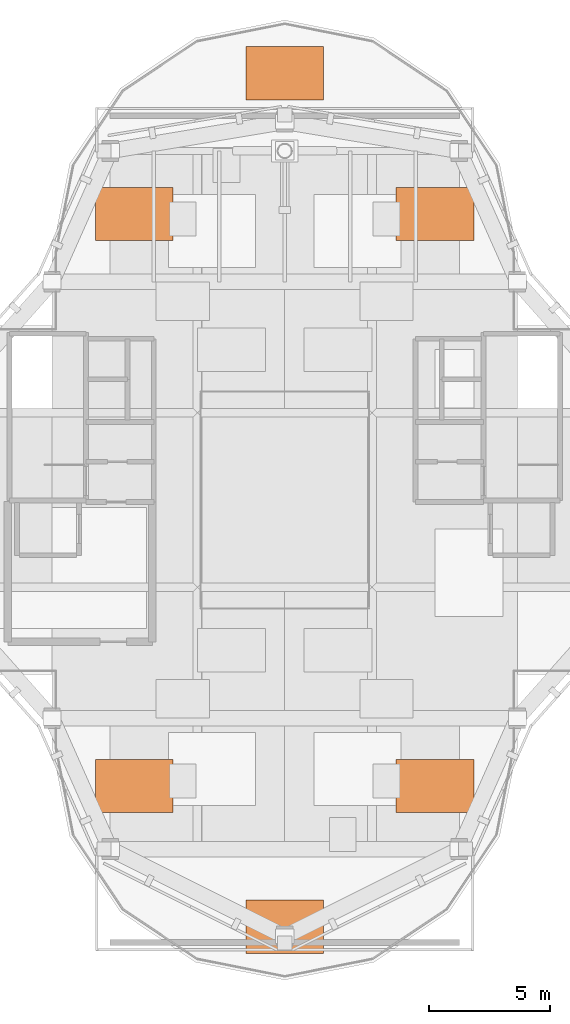
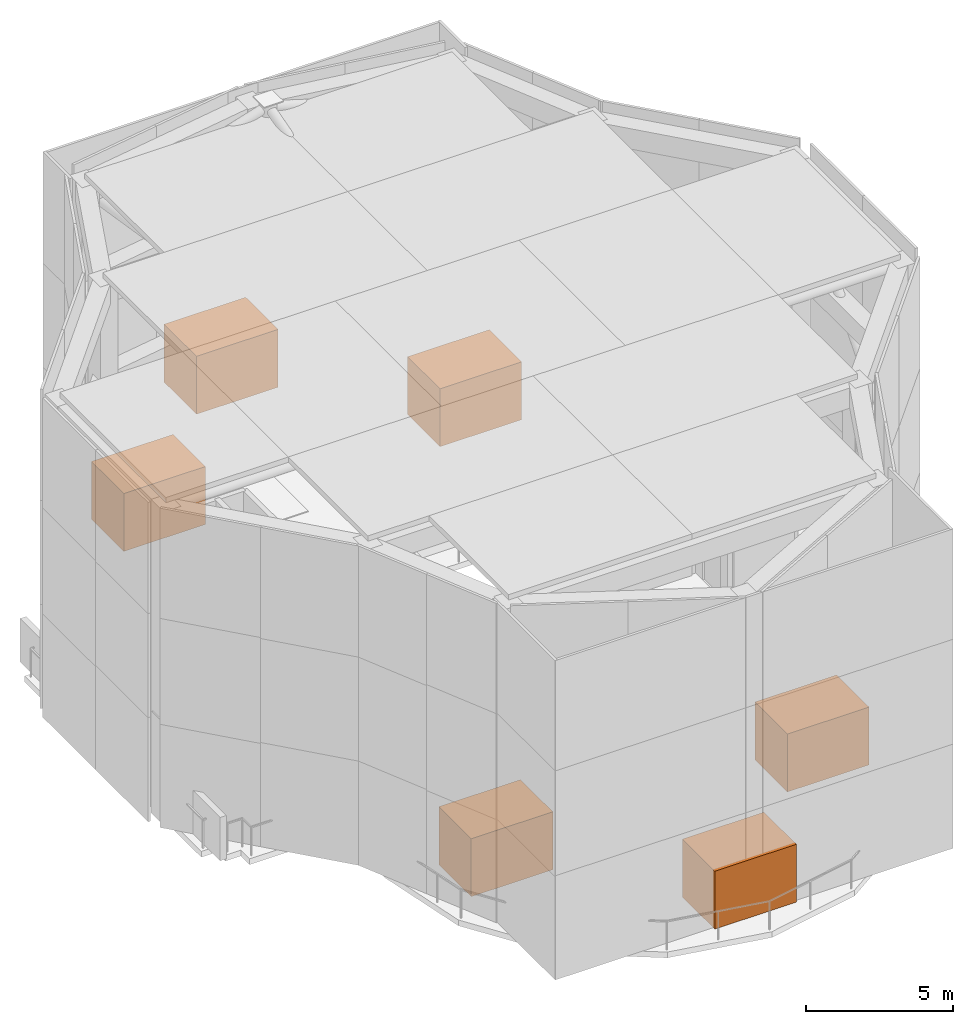
# One storey, part 8 of 8: 6 proxies.
"""IFC4 building model written with IfcOpenShell, lengths in metres."""

from ifc_helpers import new_model, si_unit, direction, frame, origin, origin_2d, place, context, subcontext, project, spatial, rectangle, extrude, source, transform, mapped, material, type_object, element, save


model = new_model("IFC4")

# Units and contexts
model_context = context("Model", 3, precision=1e-05, world=origin(), true_north=direction((0.0, 1.0)))
body_context = subcontext(model_context, "Body", "Model", "MODEL_VIEW")
ifc_project = project(units=[si_unit("LENGTHUNIT", "METRE"), si_unit("AREAUNIT", "SQUARE_METRE"), si_unit("VOLUMEUNIT", "CUBIC_METRE"), si_unit("PLANEANGLEUNIT", "RADIAN"), si_unit("MASSUNIT", "GRAM", prefix="KILO")], contexts=[model_context])

# Site, building, storey
site_placement = place(None, origin())
site = spatial("IfcSite", under=ifc_project, at=site_placement, CompositionType="ELEMENT")
building_placement = place(site_placement, origin())
building = spatial("IfcBuilding", under=site, at=building_placement, Name="Keilestroom Media Tower", CompositionType="ELEMENT")
storey_placement = place(building_placement, frame((0.0, 0.0, 271.60009765625)))
storey = spatial("IfcBuildingStorey", under=building, at=storey_placement, Name="Roof", CompositionType="ELEMENT", Elevation=271.60009765625)

# Proxies
ifc_material = material(Name="Powder-Coated Galvanised Steel", Category="steel")
building_element_proxy_type = type_object("IfcBuildingElementProxyType", Name="Rooftop-Cooling-And-BMU-Equipment-Unit", PredefinedType="USERDEFINED", material=ifc_material)
shared_shape = source(origin(), body_context, "Body", "SweptSolid", [
    extrude(rectangle(XDim=3.199951171875, YDim=2.199951171875, at=origin_2d()), origin(), (0.0, 0.0, 1.0), 2.39990234375),
])
for number, where, z_axis, x_axis, name in (
    (1, (0.0, 17.60009765625, 0.0), (0.0, 0.0, 1.0), (1.0, 0.0, 0.0), "Roof Building Maintenance Unit Cradle North"),
    (2, (0.0, -17.60009765625, 0.0), (0.0, 0.0, 1.0), (1.0, 0.0, 0.0), "Roof Building Maintenance Unit Cradle South"),
    (3, (-6.199951171875, 11.800048828125, 0.0), (0.0, 0.0, 1.0), (1.0, 0.0, 0.0), "Crown Adiabatic Dry-Cooler Array West"),
    (4, (6.199951171875, 11.800048828125, 0.0), (0.0, 0.0, 1.0), (1.0, 0.0, 0.0), "Crown Adiabatic Dry-Cooler Array East"),
    (5, (-6.199951171875, -11.800048828125, 0.0), (0.0, 0.0, 1.0), (1.0, 0.0, 0.0), "Crown Heat-Recovery Air Handling Unit SW"),
    (6, (6.199951171875, -11.800048828125, 0.0), (0.0, 0.0, 1.0), (1.0, 0.0, 0.0), "Crown Heat-Recovery Air Handling Unit SE"),
):
    element("IfcBuildingElementProxy", number, at=place(storey_placement, frame(where, z_axis=z_axis, x_axis=x_axis)), inside=storey, type_object=building_element_proxy_type, Name=name, ObjectType="EQUIPMENT", PredefinedType="USERDEFINED", context=body_context, shape_type="MappedRepresentation", body=[
        mapped(shared_shape, transform((0.0, 0.0, 0.0), x_axis=(1.0, 0.0, 0.0), y_axis=(0.0, 1.0, 0.0), z_axis=(0.0, 0.0, 1.0), scale=1.0)),
    ])

save(model, "model.ifc")
